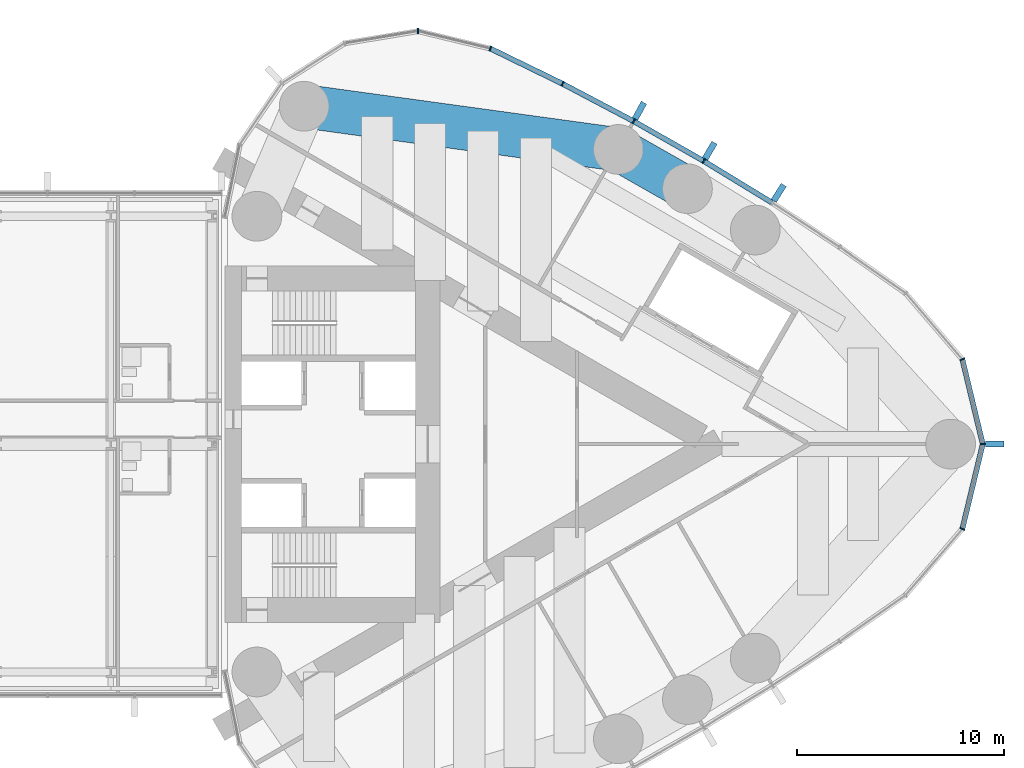
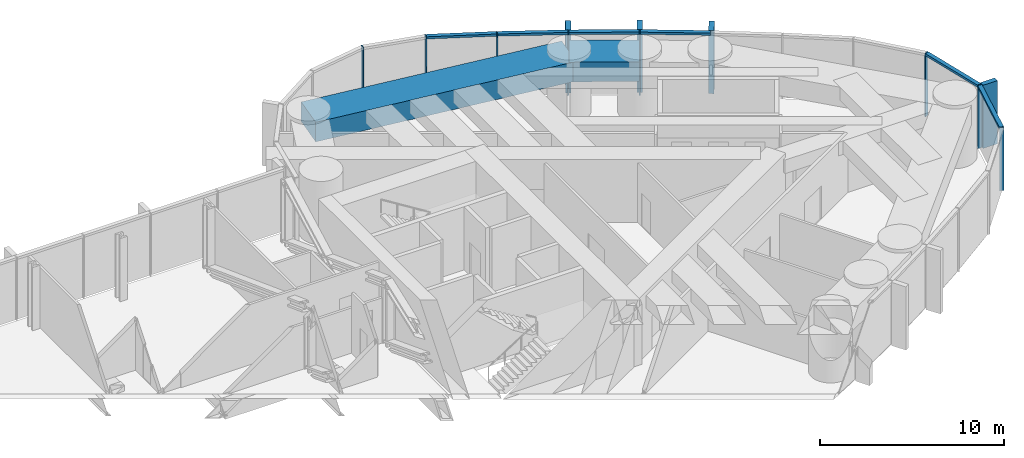
# One storey, part 12 of 23: 18 members, 2 beams, 1 element without a shape of its own.
"""IFC4 building model written with IfcOpenShell, lengths in metres."""

import ifcopenshell
import ifcopenshell.guid

model = None  # the IFC model being written
_history = None  # IfcOwnerHistory: only IFC2X3 demands one
_inside = {}  # id of a spatial element -> (the spatial element, [elements in it])
_under = {}  # id of a project, library or spatial element -> (it, [spatial elements below it])
_declared = {}  # id of a project -> (the project, [libraries it declares])
_typed = {}  # id of a type object -> (the type object, [elements of that type])
_made_of = {}  # id of a material, layer set ... -> (it, [elements and type objects made of it])


def new_model(schema):
    """Start an empty IFC model of exactly this schema.

    Asked for "IFC4X3", IfcOpenShell would pick the latest addendum, in which some entities
    have other attributes; the version numbers below select the first issue.
    IFC2X3 requires an IfcOwnerHistory on every rooted entity: one is made here for all.
    """
    global model, _history
    if schema == "IFC4X3":
        model = ifcopenshell.file(schema_version=(4, 3, 0, 0))
    else:
        model = ifcopenshell.file(schema=schema)
    _inside.clear()
    _under.clear()
    _declared.clear()
    _typed.clear()
    _made_of.clear()
    _history = None
    if model.schema == "IFC2X3":
        org = make("IfcOrganization", Name="unknown")
        user = make(
            "IfcPersonAndOrganization",
            ThePerson=make("IfcPerson", FamilyName="unknown"),
            TheOrganization=org,
        )
        app = make(
            "IfcApplication",
            ApplicationDeveloper=org,
            Version="unknown",
            ApplicationFullName="unknown",
            ApplicationIdentifier="unknown",
        )
        _history = make(
            "IfcOwnerHistory",
            OwningUser=user,
            OwningApplication=app,
            ChangeAction="ADDED",
            CreationDate=0,
        )
    return model


def make(cls, **values):
    """One entity of the class cls with the attributes given. An attribute that is None is left unset."""
    return model.create_entity(
        cls, **{name: value for name, value in values.items() if value is not None}
    )


def rooted(cls, **values):
    """An entity with a GlobalId (a new one), such as an element, a storey or a relation."""
    return make(cls, GlobalId=ifcopenshell.guid.new(), OwnerHistory=_history, **values)


def si_unit(unit_type, name, prefix=None):
    """IfcSIUnit, for example si_unit("LENGTHUNIT", "METRE", prefix="MILLI")."""
    return make("IfcSIUnit", UnitType=unit_type, Prefix=prefix, Name=name)


def assignment(units):
    """IfcUnitAssignment: the units of a project."""
    return None if units is None else make("IfcUnitAssignment", Units=units)


def point(xyz):
    """IfcCartesianPoint."""
    return None if xyz is None else make("IfcCartesianPoint", Coordinates=xyz)


def direction(xyz):
    """IfcDirection."""
    return None if xyz is None else make("IfcDirection", DirectionRatios=xyz)


def frame(location, z_axis=None, x_axis=None):
    """IfcAxis2Placement3D, a coordinate frame: its origin and axes. An axis left out is left unset."""
    return make(
        "IfcAxis2Placement3D",
        Location=point(location),
        Axis=direction(z_axis),
        RefDirection=direction(x_axis),
    )


def frame_2d(location, x_axis=None):
    """IfcAxis2Placement2D, a coordinate frame in the plane: its origin and x axis."""
    return make(
        "IfcAxis2Placement2D", Location=point(location), RefDirection=direction(x_axis)
    )


def origin():
    """The frame at (0, 0, 0) with its axes left unset."""
    return frame((0.0, 0.0, 0.0))


def origin_2d():
    """The frame at (0, 0) in the plane with its x axis left unset."""
    return frame_2d((0.0, 0.0))


def place(relative_to, where):
    """IfcLocalPlacement: puts the frame where relative to a parent placement (None: the world)."""
    return make(
        "IfcLocalPlacement", PlacementRelTo=relative_to, RelativePlacement=where
    )


def context(
    kind, dimensions, precision=None, world=None, true_north=None, identifier=None
):
    """IfcGeometricRepresentationContext, for example the 3D "Model" context."""
    return make(
        "IfcGeometricRepresentationContext",
        ContextIdentifier=identifier,
        ContextType=kind,
        CoordinateSpaceDimension=dimensions,
        Precision=precision,
        WorldCoordinateSystem=world,
        TrueNorth=true_north,
    )


def subcontext(parent, identifier, kind, view, scale=None):
    """IfcGeometricRepresentationSubContext, for example "Body" below "Model"."""
    return make(
        "IfcGeometricRepresentationSubContext",
        ContextIdentifier=identifier,
        ContextType=kind,
        ParentContext=parent,
        TargetScale=scale,
        TargetView=view,
    )


def project(units=None, contexts=None):
    """IfcProject with its units and contexts."""
    return rooted(
        "IfcProject",
        Name="project",
        RepresentationContexts=contexts,
        UnitsInContext=assignment(units),
    )


def spatial(cls, under=None, at=None, **own):
    """A site, building, storey or space (cls), placed at a placement, below another one or the project."""
    s = rooted(cls, ObjectPlacement=at, **own)
    if under is not None:
        _under.setdefault(under.id(), (under, []))[1].append(s)
    return s


def profile(cls, at=None, kind="AREA", **sizes):
    """A parametric profile (cls). Its sizes go by their IFC names, for example OverallWidth=200.0."""
    return make(cls, ProfileType=kind, Position=at, **sizes)


def rectangle(**sizes):
    """IfcRectangleProfileDef."""
    return profile("IfcRectangleProfileDef", **sizes)


def extrude(swept, where, along, depth):
    """IfcExtrudedAreaSolid: the profile swept, set in the frame where, extruded along a direction by depth."""
    return make(
        "IfcExtrudedAreaSolid",
        SweptArea=swept,
        Position=where,
        ExtrudedDirection=direction(along),
        Depth=depth,
    )


def shape(context_of_items, identifier, shape_type, items):
    """IfcShapeRepresentation: the items that make up one representation, for example the "Body"."""
    return make(
        "IfcShapeRepresentation",
        ContextOfItems=context_of_items,
        RepresentationIdentifier=identifier,
        RepresentationType=shape_type,
        Items=items,
    )


def material(Name=None, Category=None):
    """IfcMaterial."""
    return make("IfcMaterial", Name=Name, Category=Category)


def material_profile(
    of_material, cross_section, Name=None, Category=None, Priority=None
):
    """IfcMaterialProfile: a cross section and its material."""
    return make(
        "IfcMaterialProfile",
        Name=Name,
        Material=of_material,
        Profile=cross_section,
        Priority=Priority,
        Category=Category,
    )


def profile_set(profiles, Name=None, composite=None):
    """IfcMaterialProfileSet."""
    return make(
        "IfcMaterialProfileSet",
        Name=Name,
        MaterialProfiles=profiles,
        CompositeProfile=composite,
    )


def made_of(thing, what):
    """Note that an element or type object is made of a material, layer set ...; save() writes the relation."""
    if what is not None:
        _made_of.setdefault(what.id(), (what, []))[1].append(thing)
    return thing


def type_object(cls, material=None, **own):
    """A type object (cls), such as IfcWallType, which elements share."""
    return made_of(rooted(cls, **own), material)


def element(
    cls,
    number,
    at=None,
    inside=None,
    cuts=None,
    type_object=None,
    material=None,
    context=None,
    identifier="Body",
    shape_type=None,
    held_by="IfcProductDefinitionShape",
    body=None,
    shapes=None,
    **own,
):
    """One element of the class cls, such as IfcWall. Its Tag is "e" and its number.

    at: its placement. inside: the storey or other place that contains it. cuts: it is an
    opening in that element (IfcRelVoidsElement). A single representation is given by context,
    identifier, shape_type and body (its items); several are given by shapes. held_by: the class
    of the entity that holds the representations. save() writes the other relations.
    """
    e = rooted(cls, Tag="e%d" % number, ObjectPlacement=at, **own)
    if body is not None:
        shapes = [shape(context, identifier, shape_type, body)]
    if shapes is not None:
        e.Representation = make(held_by, Representations=shapes)
    if inside is not None:
        _inside.setdefault(inside.id(), (inside, []))[1].append(e)
    if cuts is not None:
        rooted(
            "IfcRelVoidsElement", RelatingBuildingElement=cuts, RelatedOpeningElement=e
        )
    if type_object is not None:
        _typed.setdefault(type_object.id(), (type_object, []))[1].append(e)
    return made_of(e, material)


def aggregate(whole, parts):
    """IfcRelAggregates: a whole, such as a stair, and the parts it consists of."""
    return rooted("IfcRelAggregates", RelatingObject=whole, RelatedObjects=parts)


def save(model, path):
    """Write the relations noted so far, then the file.

    IfcRelAggregates (storeys below a building ...), IfcRelContainedInSpatialStructure (elements
    in a storey), IfcRelDefinesByType, IfcRelAssociatesMaterial and IfcRelDeclares: one each for
    every whole, place, type object, material and project.
    """
    for whole, parts in _under.values():
        aggregate(whole, parts)
    for where, things in _inside.values():
        rooted(
            "IfcRelContainedInSpatialStructure",
            RelatedElements=things,
            RelatingStructure=where,
        )
    for kind, things in _typed.values():
        rooted("IfcRelDefinesByType", RelatedObjects=things, RelatingType=kind)
    for what, things in _made_of.values():
        rooted("IfcRelAssociatesMaterial", RelatedObjects=things, RelatingMaterial=what)
    for by, libraries in _declared.values():
        rooted("IfcRelDeclares", RelatingContext=by, RelatedDefinitions=libraries)
    model.write(path)


model = new_model("IFC4")

# Units and contexts
model_context = context("Model", 3, precision=1e-05, world=origin(), true_north=direction((0.0, 1.0)))
body_context = subcontext(model_context, "Body", "Model", "MODEL_VIEW")
ifc_project = project(units=[si_unit("LENGTHUNIT", "METRE"), si_unit("AREAUNIT", "SQUARE_METRE"), si_unit("VOLUMEUNIT", "CUBIC_METRE"), si_unit("PLANEANGLEUNIT", "RADIAN"), si_unit("MASSUNIT", "GRAM", prefix="KILO")], contexts=[model_context])

# Site, building, storey
site_placement = place(None, origin())
site = spatial("IfcSite", under=ifc_project, at=site_placement, CompositionType="ELEMENT")
building_placement = place(site_placement, origin())
building = spatial("IfcBuilding", under=site, at=building_placement, Name="Lancet Gate Hotel", CompositionType="ELEMENT")
storey_placement = place(building_placement, frame((0.0, 0.0, 247.699951171875)))
storey = spatial("IfcBuildingStorey", under=building, at=storey_placement, Name="L66", CompositionType="ELEMENT", Elevation=247.699951171875)

# Curtain wall, members
ifc_material_1 = material(Name="Aluminium curtain wall", Category="aluminium")
curtain_wall_type = type_object("IfcCurtainWallType", Name="Sky deck full-height glazing", PredefinedType="USERDEFINED", material=ifc_material_1)
curtain_wall_placement = place(storey_placement, origin())
curtain_wall = element("IfcCurtainWall", 1, at=curtain_wall_placement, inside=storey, type_object=curtain_wall_type, Name="T2 L66 curtain wall 1", ObjectType="UNITISED CURTAIN WALL", PredefinedType="USERDEFINED")
ifc_material_2 = material(Name="Aluminium mullion", Category="aluminium")
ifc_material_profile_1 = material_profile(ifc_material_2, rectangle(XDim=0.06494140625, YDim=0.25, at=origin_2d()), Name="MULLION 65x250")
ifc_profile_set_1 = profile_set([ifc_material_profile_1], Name="Aluminium mullion")
member_type_1 = type_object("IfcMemberType", Name="Aluminium mullion 65x250", PredefinedType="MULLION", material=ifc_profile_set_1)
member_1_placement = place(storey_placement, frame((63.1064453125, -4.09375, 0.0), z_axis=(0.0, 0.0, 1.0), x_axis=(0.454852851296, 0.890566608215, 0.0)))
member_1 = element("IfcMember", 2, at=member_1_placement, type_object=member_type_1, Name="T2 L66 curtain wall 1 mullion 13", PredefinedType="MULLION", context=body_context, shape_type="SweptSolid", body=[
    extrude(rectangle(XDim=0.06494140625, YDim=0.25, at=origin_2d()), origin(), (0.0, 0.0, 1.0), 4.199951171875),
])
member_2_placement = place(storey_placement, frame((64.09130859375, 0.0, 0.0), z_axis=(0.0, 0.0, 1.0), x_axis=(0.0, 1.0, 0.0)))
member_2 = element("IfcMember", 3, at=member_2_placement, type_object=member_type_1, Name="T2 L66 curtain wall 1 mullion 14", PredefinedType="MULLION", context=body_context, shape_type="SweptSolid", body=[
    extrude(rectangle(XDim=0.06494140625, YDim=0.25, at=origin_2d()), origin(), (0.0, 0.0, 1.0), 4.199951171875),
])
member_3_placement = place(storey_placement, frame((63.1064453125, 4.09375, 0.0), z_axis=(0.0, 0.0, 1.0), x_axis=(-0.454852851296, 0.890566608215, 0.0)))
member_3 = element("IfcMember", 4, at=member_3_placement, type_object=member_type_1, Name="T2 L66 curtain wall 1 mullion 15", PredefinedType="MULLION", context=body_context, shape_type="SweptSolid", body=[
    extrude(rectangle(XDim=0.06494140625, YDim=0.25, at=origin_2d()), origin(), (0.0, 0.0, 1.0), 4.199951171875),
])
member_4_placement = place(storey_placement, frame((50.62060546875, 13.667236328125, 0.0), z_axis=(0.0, 0.0, 1.0), x_axis=(-0.861691755738, 0.507432082247, 0.0)))
member_4 = element("IfcMember", 5, at=member_4_placement, type_object=member_type_1, Name="T2 L66 curtain wall 1 mullion 19", PredefinedType="MULLION", context=body_context, shape_type="SweptSolid", body=[
    extrude(rectangle(XDim=0.06494140625, YDim=0.25, at=origin_2d()), origin(), (0.0, 0.0, 1.0), 4.199951171875),
])
member_5_placement = place(storey_placement, frame((47.24365234375, 15.585205078125, 0.0), z_axis=(0.0, 0.0, 1.0), x_axis=(-0.877194589488, 0.480135035352, 0.0)))
member_5 = element("IfcMember", 6, at=member_5_placement, type_object=member_type_1, Name="T2 L66 curtain wall 1 mullion 20", PredefinedType="MULLION", context=body_context, shape_type="SweptSolid", body=[
    extrude(rectangle(XDim=0.06494140625, YDim=0.25, at=origin_2d()), origin(), (0.0, 0.0, 1.0), 4.199951171875),
])
member_6_placement = place(storey_placement, frame((43.80810546875, 17.396240234375, 0.0), z_axis=(0.0, 0.0, 1.0), x_axis=(-0.891832977257, 0.452364831389, 0.0)))
member_6 = element("IfcMember", 7, at=member_6_placement, type_object=member_type_1, Name="T2 L66 curtain wall 1 mullion 21", PredefinedType="MULLION", context=body_context, shape_type="SweptSolid", body=[
    extrude(rectangle(XDim=0.06494140625, YDim=0.25, at=origin_2d()), origin(), (0.0, 0.0, 1.0), 4.199951171875),
])
member_7_placement = place(storey_placement, frame((40.3173828125, 19.098388671875, 0.0), z_axis=(0.0, 0.0, 1.0), x_axis=(-0.939483740419, 0.342593493061, 0.0)))
member_7 = element("IfcMember", 8, at=member_7_placement, type_object=member_type_1, Name="T2 L66 curtain wall 1 mullion 22", PredefinedType="MULLION", context=body_context, shape_type="SweptSolid", body=[
    extrude(rectangle(XDim=0.06494140625, YDim=0.25, at=origin_2d()), origin(), (0.0, 0.0, 1.0), 4.199951171875),
])
member_8_placement = place(storey_placement, frame((36.826171875, 19.942138671875, 0.0), z_axis=(0.0, 0.0, 1.0), x_axis=(-0.999342744911, 0.03625021647, 0.0)))
member_8 = element("IfcMember", 9, at=member_8_placement, type_object=member_type_1, Name="T2 L66 curtain wall 1 mullion 23", PredefinedType="MULLION", context=body_context, shape_type="SweptSolid", body=[
    extrude(rectangle(XDim=0.06494140625, YDim=0.25, at=origin_2d()), origin(), (0.0, 0.0, 1.0), 4.199951171875),
])
ifc_material_3 = material(Name="Aluminium transom", Category="aluminium")
ifc_material_profile_2 = material_profile(ifc_material_3, rectangle(XDim=0.25, YDim=0.14990234375, at=origin_2d()), Name="TRANSOM 250x150")
ifc_profile_set_2 = profile_set([ifc_material_profile_2], Name="Aluminium transom")
member_type_2 = type_object("IfcMemberType", Name="Aluminium transom 250x150", PredefinedType="USERDEFINED", material=ifc_profile_set_2)
member_9_placement = place(storey_placement, frame((63.114013671875, -4.06201171875, 4.125), z_axis=(0.233920855872, 0.972255641891, 0.0), x_axis=(-0.972255641891, 0.233920855872, 0.0)))
member_9 = element("IfcMember", 10, at=member_9_placement, type_object=member_type_2, Name="T2 L66 curtain wall 1 transom 13", ObjectType="TRANSOM", PredefinedType="USERDEFINED", context=body_context, shape_type="SweptSolid", body=[
    extrude(rectangle(XDim=0.25, YDim=0.14990234375, at=origin_2d()), origin(), (0.0, 0.0, 1.0), 4.1455078125),
])
member_10_placement = place(storey_placement, frame((64.083740234375, 0.031494140625, 4.125), z_axis=(-0.233920855872, 0.972255641891, 0.0), x_axis=(-0.972255641891, -0.233920855872, 0.0)))
member_10 = element("IfcMember", 11, at=member_10_placement, type_object=member_type_2, Name="T2 L66 curtain wall 1 transom 14", ObjectType="TRANSOM", PredefinedType="USERDEFINED", context=body_context, shape_type="SweptSolid", body=[
    extrude(rectangle(XDim=0.25, YDim=0.14990234375, at=origin_2d()), origin(), (0.0, 0.0, 1.0), 4.1455078125),
])
member_11_placement = place(storey_placement, frame((53.907958984375, 11.661376953125, 4.125), z_axis=(-0.853638798527, 0.520865435261, 0.0), x_axis=(-0.520865435261, -0.853638798527, 0.0)))
member_11 = element("IfcMember", 12, at=member_11_placement, type_object=member_type_2, Name="T2 L66 curtain wall 1 transom 18", ObjectType="TRANSOM", PredefinedType="USERDEFINED", context=body_context, shape_type="SweptSolid", body=[
    extrude(rectangle(XDim=0.25, YDim=0.14990234375, at=origin_2d()), origin(), (0.0, 0.0, 1.0), 3.818603515625),
])
member_12_placement = place(storey_placement, frame((50.59228515625, 13.683349609375, 4.125), z_axis=(-0.869562011924, 0.493823761496, 0.0), x_axis=(-0.493823761496, -0.869562011924, 0.0)))
member_12 = element("IfcMember", 13, at=member_12_placement, type_object=member_type_2, Name="T2 L66 curtain wall 1 transom 19", ObjectType="TRANSOM", PredefinedType="USERDEFINED", context=body_context, shape_type="SweptSolid", body=[
    extrude(rectangle(XDim=0.25, YDim=0.14990234375, at=origin_2d()), origin(), (0.0, 0.0, 1.0), 3.818603515625),
])
member_13_placement = place(storey_placement, frame((47.21484375, 15.600341796875, 4.125), z_axis=(-0.884618491031, 0.466315478325, 0.0), x_axis=(-0.466315478325, -0.884618491031, 0.0)))
member_13 = element("IfcMember", 14, at=member_13_placement, type_object=member_type_2, Name="T2 L66 curtain wall 1 transom 20", ObjectType="TRANSOM", PredefinedType="USERDEFINED", context=body_context, shape_type="SweptSolid", body=[
    extrude(rectangle(XDim=0.25, YDim=0.14990234375, at=origin_2d()), origin(), (0.0, 0.0, 1.0), 3.81884765625),
])
member_14_placement = place(storey_placement, frame((43.77880859375, 17.410400390625, 4.125), z_axis=(-0.898820051991, 0.438317823206, 0.0), x_axis=(-0.438317823206, -0.898820051991, 0.0)))
member_14 = element("IfcMember", 15, at=member_14_placement, type_object=member_type_2, Name="T2 L66 curtain wall 1 transom 21", ObjectType="TRANSOM", PredefinedType="USERDEFINED", context=body_context, shape_type="SweptSolid", body=[
    extrude(rectangle(XDim=0.25, YDim=0.14990234375, at=origin_2d()), origin(), (0.0, 0.0, 1.0), 3.81884765625),
])

# Beams
ifc_material_4 = material(Name="Concrete C50/60", Category="concrete")
ifc_material_profile_3 = material_profile(ifc_material_4, rectangle(XDim=2.10009765625, YDim=1.300048828125, at=origin_2d()), Name="RC 2100x1300")
ifc_profile_set_3 = profile_set([ifc_material_profile_3], Name="Concrete C50/60")
beam_type = type_object("IfcBeamType", Name="Edge beam RC 2100x1300", PredefinedType="SPANDREL", material=ifc_profile_set_3)
beam_1_placement = place(storey_placement, frame((49.833984375, 12.331787109375, 3.300048828125), z_axis=(-0.869560321562, 0.493826738001, 0.0), x_axis=(-0.493826738001, -0.869560321562, 0.0)))
element("IfcBeam", 16, at=beam_1_placement, inside=storey, type_object=beam_type, Name="T2 edge beam EB1 L66", PredefinedType="SPANDREL", context=body_context, shape_type="SweptSolid", body=[
    extrude(rectangle(XDim=2.10009765625, YDim=1.300048828125, at=origin_2d()), origin(), (0.0, 0.0, 1.0), 3.8349609375),
])
beam_2_placement = place(storey_placement, frame((46.499267578125, 14.2255859375, 3.300048828125), z_axis=(-0.990685830783, 0.13616748762, 0.0), x_axis=(-0.13616748762, -0.990685830783, 0.0)))
element("IfcBeam", 17, at=beam_2_placement, inside=storey, type_object=beam_type, Name="T2 edge beam EB1 L66", PredefinedType="SPANDREL", context=body_context, shape_type="SweptSolid", body=[
    extrude(rectangle(XDim=2.10009765625, YDim=1.300048828125, at=origin_2d()), origin(), (0.0, 0.0, 1.0), 15.3134765625),
])

# Member
ifc_material_5 = material(Name="Precast concrete C50/60", Category="concrete")
ifc_material_profile_4 = material_profile(ifc_material_5, rectangle(XDim=0.300048828125, YDim=0.89990234375, at=origin_2d()), Name="FIN 300x900")
ifc_profile_set_4 = profile_set([ifc_material_profile_4], Name="Precast concrete C50/60")
member_type_3 = type_object("IfcMemberType", Name="Exposed concrete fin 300x900", PredefinedType="USERDEFINED", material=ifc_profile_set_4)
member_15_placement = place(storey_placement, frame((64.66650390625, 0.0, 0.0), z_axis=(0.0, 0.0, 1.0), x_axis=(0.0, 1.0, 0.0)))
member_15 = element("IfcMember", 18, at=member_15_placement, type_object=member_type_3, Name="T2 L66 curtain wall 1 fin 14", ObjectType="FIN", PredefinedType="USERDEFINED", context=body_context, shape_type="SweptSolid", body=[
    extrude(rectangle(XDim=0.300048828125, YDim=0.89990234375, at=origin_2d()), origin(), (0.0, 0.0, 1.0), 4.199951171875),
])

member_16_placement = place(storey_placement, frame((54.242919921875, 12.13037109375, 0.0), z_axis=(0.0, 0.0, 1.0), x_axis=(-0.845339753513, 0.534229071777, 0.0)))
member_16 = element("IfcMember", 19, at=member_16_placement, type_object=member_type_3, Name="T2 L66 curtain wall 1 fin 18", ObjectType="FIN", PredefinedType="USERDEFINED", context=body_context, shape_type="SweptSolid", body=[
    extrude(rectangle(XDim=0.300048828125, YDim=0.89990234375, at=origin_2d()), origin(), (0.0, 0.0, 1.0), 4.199951171875),
])

member_17_placement = place(storey_placement, frame((50.912353515625, 14.162841796875, 0.0), z_axis=(0.0, 0.0, 1.0), x_axis=(-0.861691755738, 0.507432082247, 0.0)))
member_17 = element("IfcMember", 20, at=member_17_placement, type_object=member_type_3, Name="T2 L66 curtain wall 1 fin 19", ObjectType="FIN", PredefinedType="USERDEFINED", context=body_context, shape_type="SweptSolid", body=[
    extrude(rectangle(XDim=0.300048828125, YDim=0.89990234375, at=origin_2d()), origin(), (0.0, 0.0, 1.0), 4.199951171875),
])

member_18_placement = place(storey_placement, frame((47.51953125, 16.089599609375, 0.0), z_axis=(0.0, 0.0, 1.0), x_axis=(-0.877194589488, 0.480135035352, 0.0)))
member_18 = element("IfcMember", 21, at=member_18_placement, type_object=member_type_3, Name="T2 L66 curtain wall 1 fin 20", ObjectType="FIN", PredefinedType="USERDEFINED", context=body_context, shape_type="SweptSolid", body=[
    extrude(rectangle(XDim=0.300048828125, YDim=0.89990234375, at=origin_2d()), origin(), (0.0, 0.0, 1.0), 4.199951171875),
])

aggregate(curtain_wall, [member_1, member_2, member_15, member_3, member_16, member_4, member_17, member_5, member_18, member_6, member_7, member_8, member_9, member_10, member_11, member_12, member_13, member_14])

save(model, "model.ifc")
